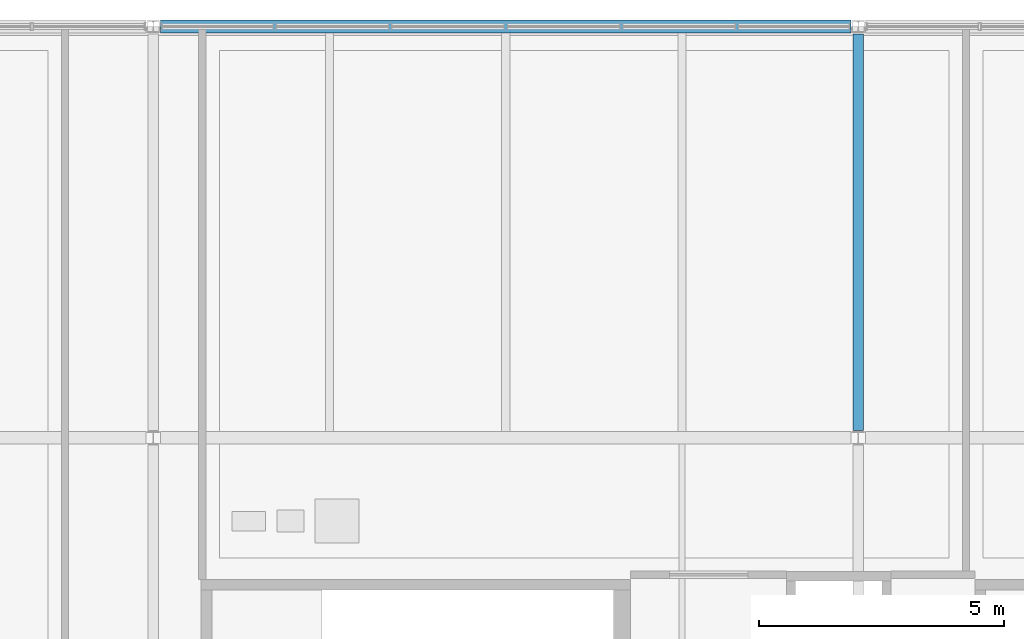
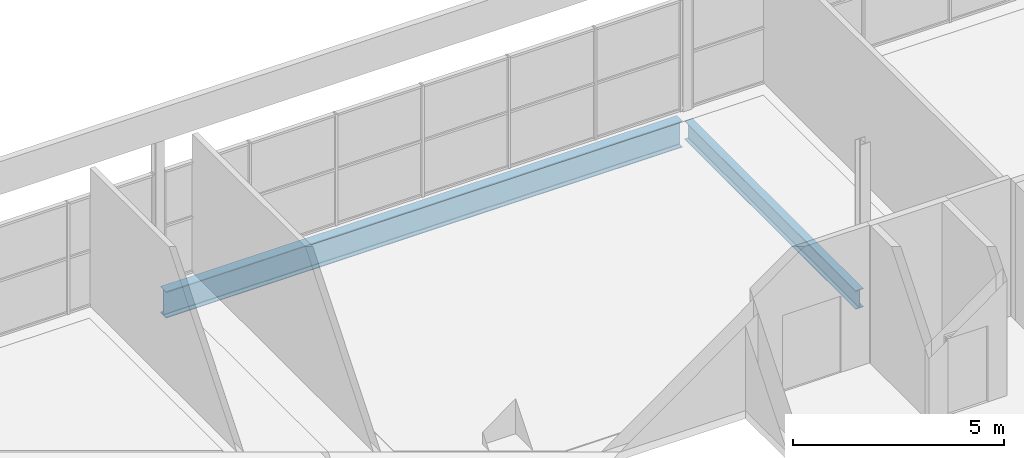
# One storey, part 30 of 43: 2 beams.
"""IFC4 building model written with IfcOpenShell, lengths in metres."""

from ifc_helpers import new_model, si_unit, direction, frame, origin, origin_2d, place, context, subcontext, project, spatial, i_section, extrude, material, material_profile, profile_set, type_object, element, save


model = new_model("IFC4")

# Units and contexts
model_context = context("Model", 3, precision=1e-05, world=origin(), true_north=direction((0.0, 1.0)))
body_context = subcontext(model_context, "Body", "Model", "MODEL_VIEW")
ifc_project = project(units=[si_unit("LENGTHUNIT", "METRE"), si_unit("AREAUNIT", "SQUARE_METRE"), si_unit("VOLUMEUNIT", "CUBIC_METRE"), si_unit("PLANEANGLEUNIT", "RADIAN"), si_unit("MASSUNIT", "GRAM", prefix="KILO"), si_unit("THERMODYNAMICTEMPERATUREUNIT", "KELVIN")], contexts=[model_context])

# Site, building, storey
site_placement = place(None, origin())
site = spatial("IfcSite", under=ifc_project, at=site_placement, CompositionType="ELEMENT")
building_placement = place(site_placement, origin())
building = spatial("IfcBuilding", under=site, at=building_placement, Name="Nduvali Passage Aquatics Centre", CompositionType="ELEMENT")
storey_placement = place(building_placement, frame((0.0, 0.0, 17.39990234375)))
storey = spatial("IfcBuildingStorey", under=building, at=storey_placement, Name="L04", CompositionType="ELEMENT", Elevation=17.39990234375)

# Beams
ifc_material = material(Name="Steel S355", Category="steel")
ifc_material_profile_1 = material_profile(ifc_material, i_section(OverallWidth=0.210693359375, OverallDepth=0.53955078125, WebThickness=0.01171875, FlangeThickness=0.018798828125, FilletRadius=0.0126953125, at=origin_2d()), Name="UKB 533x210x109")
ifc_profile_set_1 = profile_set([ifc_material_profile_1], Name="Steel S355")
beam_type_1 = type_object("IfcBeamType", Name="STR-BM-UKB533", PredefinedType="BEAM", material=ifc_profile_set_1)
beam_1_placement = place(storey_placement, frame((111.60009765625, 109.35009765625, -0.503662109375), z_axis=(0.0, 1.0, 0.0), x_axis=(-1.0, 0.0, 0.0)))
element("IfcBeam", 1, at=beam_1_placement, inside=storey, type_object=beam_type_1, Name="L04 Primary Y-Girder B6-1385", PredefinedType="BEAM", context=body_context, shape_type="SweptSolid", body=[
    extrude(i_section(OverallWidth=0.210693359375, OverallDepth=0.53955078125, WebThickness=0.01171875, FlangeThickness=0.018798828125, FilletRadius=0.0126953125, at=origin_2d()), origin(), (0.0, 0.0, 1.0), 8.099853515625),
])
ifc_material_profile_2 = material_profile(ifc_material, i_section(OverallWidth=0.2666015625, OverallDepth=0.76220703125, WebThickness=0.014404296875, FlangeThickness=0.021484375, FilletRadius=0.0166015625, at=origin_2d()), Name="UKB 762x267x173")
ifc_profile_set_2 = profile_set([ifc_material_profile_2], Name="Steel S355")
beam_type_2 = type_object("IfcBeamType", Name="STR-BM-UKB762-EXT", PredefinedType="BEAM", material=ifc_profile_set_2)
beam_2_placement = place(storey_placement, frame((97.35009765625, 117.60009765625, -0.614990234375), z_axis=(1.0, 0.0, 0.0), x_axis=(0.0, 1.0, 0.0)))
element("IfcBeam", 2, at=beam_2_placement, inside=storey, type_object=beam_type_2, Name="L04 Primary X-Girder B4CE-1351", PredefinedType="BEAM", context=body_context, shape_type="SweptSolid", body=[
    extrude(i_section(OverallWidth=0.2666015625, OverallDepth=0.76220703125, WebThickness=0.014404296875, FlangeThickness=0.021484375, FilletRadius=0.0166015625, at=origin_2d()), origin(), (0.0, 0.0, 1.0), 14.099853515625),
])

save(model, "model.ifc")
